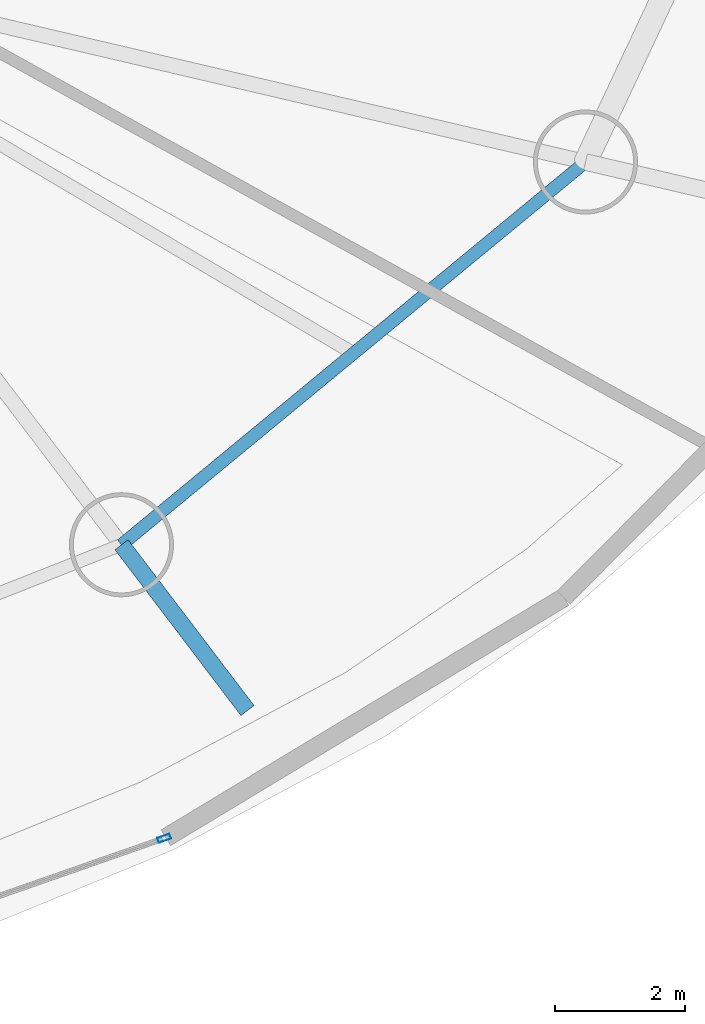
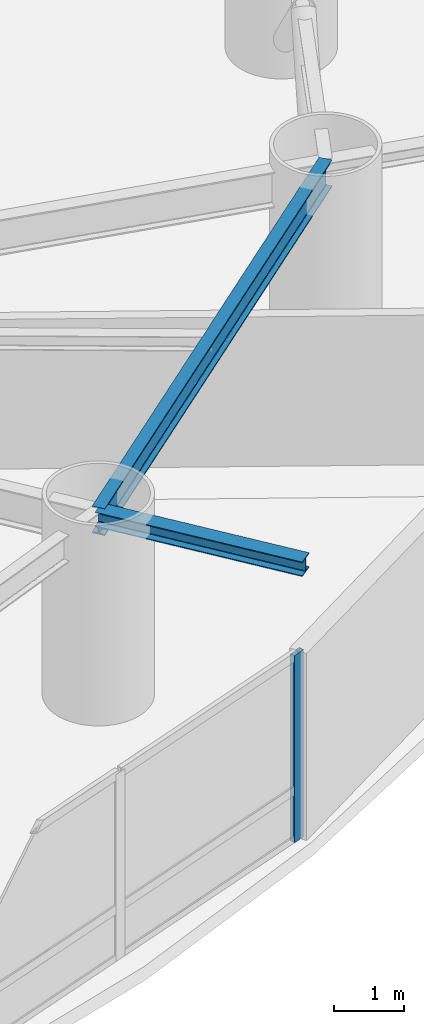
# One storey, part 11 of 30: 2 beams, 1 member, 1 element without a shape of its own.
"""IFC4 building model written with IfcOpenShell, lengths in metres."""

from ifc_helpers import new_model, si_unit, direction, frame, origin, origin_2d, place, context, subcontext, project, spatial, hollow_rectangle, i_section, extrude, material, layer, layer_set, material_profile, profile_set, type_object, element, aggregate, save


model = new_model("IFC4")

# Units and contexts
model_context = context("Model", 3, precision=1e-05, world=origin(), true_north=direction((0.0, 1.0)))
body_context = subcontext(model_context, "Body", "Model", "MODEL_VIEW")
ifc_project = project(units=[si_unit("LENGTHUNIT", "METRE"), si_unit("AREAUNIT", "SQUARE_METRE"), si_unit("VOLUMEUNIT", "CUBIC_METRE"), si_unit("PLANEANGLEUNIT", "RADIAN"), si_unit("MASSUNIT", "GRAM", prefix="KILO")], contexts=[model_context])

# Site, building, storey
site_placement = place(None, origin())
site = spatial("IfcSite", under=ifc_project, at=site_placement, CompositionType="ELEMENT")
building_placement = place(site_placement, origin())
building = spatial("IfcBuilding", under=site, at=building_placement, Name="Bramvorn Convention Spire", CompositionType="ELEMENT")
storey_placement = place(building_placement, frame((0.0, 0.0, 90.39990234375)))
storey = spatial("IfcBuildingStorey", under=building, at=storey_placement, Name="L21", CompositionType="ELEMENT", Elevation=90.39990234375)

# Beams
ifc_material_1 = material(Name="Steel CSA G40.21 Grade 350 (350W)", Category="steel")
ifc_material_profile_1 = material_profile(ifc_material_1, i_section(OverallWidth=0.25390625, OverallDepth=0.2529296875, WebThickness=0.008544921875, FlangeThickness=0.01416015625, FilletRadius=0.011962890625, at=origin_2d()))
ifc_profile_set_1 = profile_set([ifc_material_profile_1], Name="Steel CSA G40.21 Grade 350 (350W) - W250X73")
beam_type_1 = type_object("IfcBeamType", Name="BM-W250X73", PredefinedType="BEAM", material=ifc_profile_set_1)
beam_1_placement = place(storey_placement, frame((56.227783203125, 9.371337890625, 3.12353515625), z_axis=(0.605150969009, -0.796110736461, 0.0), x_axis=(0.796110736461, 0.605150969009, 0.0)))
element("IfcBeam", 1, at=beam_1_placement, inside=storey, type_object=beam_type_1, Name="L21 slab-edge cantilever tip beam MC15", PredefinedType="BEAM", context=body_context, shape_type="SweptSolid", body=[
    extrude(i_section(OverallWidth=0.25390625, OverallDepth=0.2529296875, WebThickness=0.008544921875, FlangeThickness=0.01416015625, FilletRadius=0.011962890625, at=origin_2d()), origin(), (0.0, 0.0, 1.0), 3.199951171875),
])
ifc_material_profile_2 = material_profile(ifc_material_1, i_section(OverallWidth=0.194091796875, OverallDepth=0.468994140625, WebThickness=0.0126953125, FlangeThickness=0.0205078125, FilletRadius=0.01806640625, at=origin_2d()))
ifc_profile_set_2 = profile_set([ifc_material_profile_2], Name="Steel CSA G40.21 Grade 350 (350W) - W460X106")
beam_type_2 = type_object("IfcBeamType", Name="BM-W460X106", PredefinedType="SPANDREL", material=ifc_profile_set_2)
beam_2_placement = place(storey_placement, frame((56.227783203125, 9.371337890625, 3.015625), z_axis=(0.771417680101, 0.636329130896, 0.0), x_axis=(-0.636329130896, 0.771417680101, 0.0)))
element("IfcBeam", 2, at=beam_2_placement, inside=storey, type_object=beam_type_2, Name="L21 mega-column ring beam 15", PredefinedType="SPANDREL", context=body_context, shape_type="SweptSolid", body=[
    extrude(i_section(OverallWidth=0.194091796875, OverallDepth=0.468994140625, WebThickness=0.0126953125, FlangeThickness=0.0205078125, FilletRadius=0.01806640625, at=origin_2d()), origin(), (0.0, 0.0, 1.0), 9.244140625),
])

# Curtain wall, member
ifc_material_2 = material(Name="Anodised Bronze Unitised Curtain Wall", Category="aluminium")
ifc_layer = layer(ifc_material_2, 0.179931640625)
ifc_layer_set = layer_set([ifc_layer], Name="Anodised Bronze Unitised Curtain Wall - CW-HTL-FRIT")
curtain_wall_type = type_object("IfcCurtainWallType", Name="CW-HTL-FRIT", PredefinedType="USERDEFINED", material=ifc_layer_set)
curtain_wall_placement = place(storey_placement, origin())
curtain_wall = element("IfcCurtainWall", 3, at=curtain_wall_placement, inside=storey, type_object=curtain_wall_type, Name="L21 fritted glass curtain wall 21", ObjectType="UNITISED CURTAIN WALL", PredefinedType="USERDEFINED")
ifc_material_3 = material(Name="Anodised Bronze Aluminium 6063-T6", Category="aluminium")
ifc_material_profile_3 = material_profile(ifc_material_3, hollow_rectangle(XDim=0.080078125, YDim=0.199951171875, WallThickness=0.00390625, InnerFilletRadius=0.0009765625, OuterFilletRadius=0.00390625, at=origin_2d()))
ifc_profile_set_3 = profile_set([ifc_material_profile_3], Name="Anodised Bronze Aluminium 6063-T6 - CWM80X200")
member_type = type_object("IfcMemberType", Name="CW-MUL-180", PredefinedType="MULLION", material=ifc_profile_set_3)
member_placement = place(storey_placement, frame((56.882568359375, 4.85986328125, 0.0), z_axis=(0.0, 0.0, 1.0), x_axis=(0.329972810015, -0.943990436737, 0.0)))
member = element("IfcMember", 4, at=member_placement, type_object=member_type, Name="CW2 mullion 1", PredefinedType="MULLION", context=body_context, shape_type="SweptSolid", body=[
    extrude(hollow_rectangle(XDim=0.080078125, YDim=0.199951171875, WallThickness=0.00390625, InnerFilletRadius=0.0009765625, OuterFilletRadius=0.00390625, at=origin_2d()), origin(), (0.0, 0.0, 1.0), 3.25),
])
aggregate(curtain_wall, [member])

save(model, "model.ifc")
